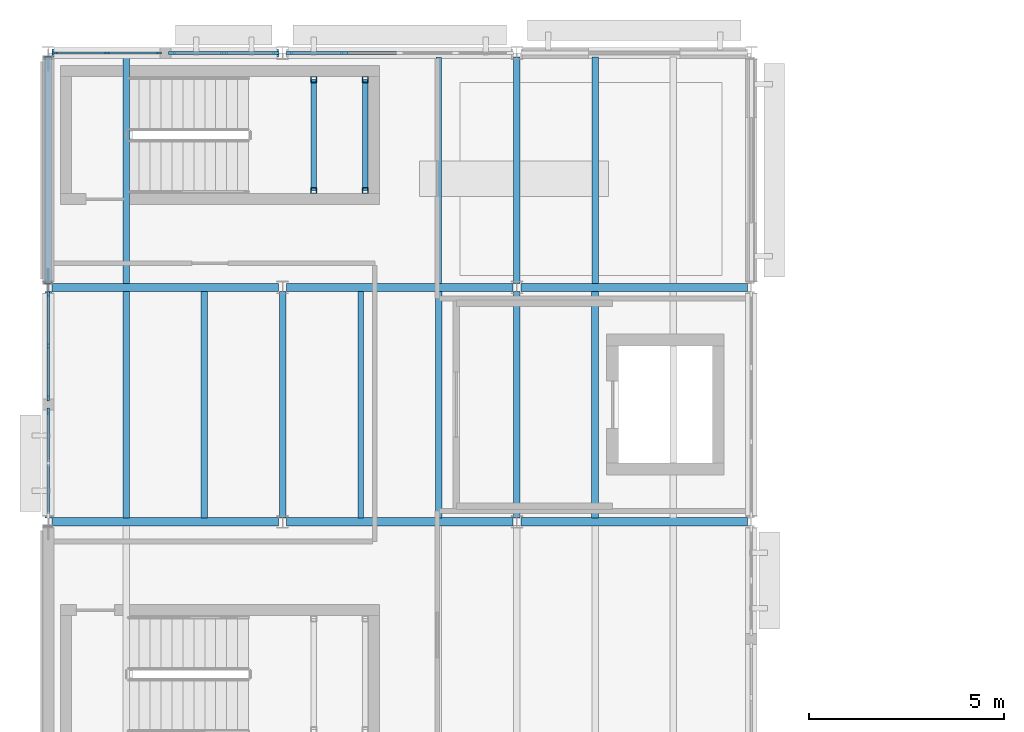
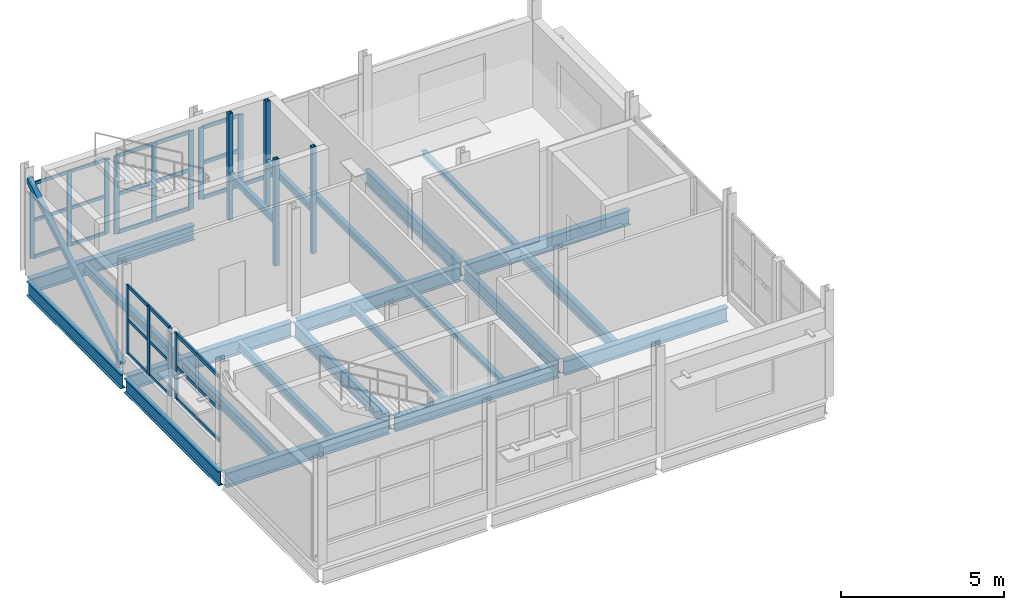
# One storey, part 12 of 45: 45 members, 22 beams, 5 elements without a shape of their own.
"""IFC4 building model written with IfcOpenShell, lengths in metres."""

from ifc_helpers import new_model, si_unit, direction, frame, origin, origin_2d, place, context, subcontext, project, spatial, rectangle, hollow_rectangle, i_section, extrude, material, material_profile, profile_set, type_object, element, aggregate, save


model = new_model("IFC4")

# Units and contexts
model_context = context("Model", 3, precision=1e-05, world=origin(), true_north=direction((0.0, 1.0)))
body_context = subcontext(model_context, "Body", "Model", "MODEL_VIEW")
ifc_project = project(units=[si_unit("LENGTHUNIT", "METRE"), si_unit("AREAUNIT", "SQUARE_METRE"), si_unit("VOLUMEUNIT", "CUBIC_METRE"), si_unit("PLANEANGLEUNIT", "RADIAN"), si_unit("MASSUNIT", "GRAM", prefix="KILO")], contexts=[model_context])

# Site, building, storey
site_placement = place(None, origin())
site = spatial("IfcSite", under=ifc_project, at=site_placement, CompositionType="ELEMENT")
building_placement = place(site_placement, origin())
building = spatial("IfcBuilding", under=site, at=building_placement, Name="Siltcreek Boulevard Central Fire Station", CompositionType="ELEMENT")
storey_placement = place(building_placement, frame((0.0, 0.0, 10.0)))
storey = spatial("IfcBuildingStorey", under=building, at=storey_placement, Name="L03", CompositionType="ELEMENT", Elevation=10.0)

# Beams
ifc_material_1 = material(Name="Structural steel ASTM A992 Gr50", Category="steel")
ifc_material_profile_1 = material_profile(ifc_material_1, i_section(OverallWidth=0.2109375, OverallDepth=0.5390625, WebThickness=0.01171875, FlangeThickness=0.018798828125, at=origin_2d()), Name="W530X109")
ifc_profile_set_1 = profile_set([ifc_material_profile_1], Name="Structural steel ASTM A992 Gr50")
beam_type_1 = type_object("IfcBeamType", Name="BM_W530X109", PredefinedType="BEAM", material=ifc_profile_set_1)
for number, where, z_axis, x_axis, name in (
    (1, (42.10009765625, 100.199951171875, -0.549560546875), (1.0, 0.0, 0.0), (0.0, 1.0, 0.0), "L03 primary steel girder GX-0381"),
    (2, (48.10009765625, 100.199951171875, -0.549560546875), (1.0, 0.0, 0.0), (0.0, 1.0, 0.0), "L03 primary steel girder GX-0382"),
    (3, (54.10009765625, 100.199951171875, -0.549560546875), (1.0, 0.0, 0.0), (0.0, 1.0, 0.0), "L03 primary steel girder GX-0383"),
    (4, (42.10009765625, 106.199951171875, -0.549560546875), (1.0, 0.0, 0.0), (0.0, 1.0, 0.0), "L03 primary steel girder GX-0384"),
    (5, (48.10009765625, 106.199951171875, -0.549560546875), (1.0, 0.0, 0.0), (0.0, 1.0, 0.0), "L03 primary steel girder GX-0385"),
    (6, (54.10009765625, 106.199951171875, -0.549560546875), (1.0, 0.0, 0.0), (0.0, 1.0, 0.0), "L03 primary steel girder GX-0386"),
    (7, (42.10009765625, 112.199951171875, -0.549560546875), (1.0, 0.0, 0.0), (0.0, 1.0, 0.0), "L03 primary steel girder GX-0387"),
):
    element("IfcBeam", number, at=place(storey_placement, frame(where, z_axis=z_axis, x_axis=x_axis)), inside=storey, type_object=beam_type_1, Name=name, PredefinedType="BEAM", context=body_context, shape_type="SweptSolid", body=[
        extrude(i_section(OverallWidth=0.2109375, OverallDepth=0.5390625, WebThickness=0.01171875, FlangeThickness=0.018798828125, at=origin_2d()), origin(), (0.0, 0.0, 1.0), 5.7998046875),
    ])
ifc_material_profile_2 = material_profile(ifc_material_1, i_section(OverallWidth=0.166015625, OverallDepth=0.534912109375, WebThickness=0.01025390625, FlangeThickness=0.0166015625, at=origin_2d()), Name="W530X85")
ifc_profile_set_2 = profile_set([ifc_material_profile_2], Name="Structural steel ASTM A992 Gr50")
beam_type_2 = type_object("IfcBeamType", Name="BM_W530X85", PredefinedType="BEAM", material=ifc_profile_set_2)
for number, where, z_axis, x_axis, name in (
    (8, (42.0, 100.300048828125, -0.547607421875), (0.0, 1.0, 0.0), (-1.0, 0.0, 0.0), "L03 primary steel girder GY-0391"),
    (9, (42.0, 106.300048828125, -0.547607421875), (0.0, 1.0, 0.0), (-1.0, 0.0, 0.0), "L03 primary steel girder GY-0392"),
    (10, (48.0, 100.300048828125, -0.547607421875), (0.0, 1.0, 0.0), (-1.0, 0.0, 0.0), "L03 primary steel girder GY-0393"),
    (11, (54.0, 100.300048828125, -0.547607421875), (0.0, 1.0, 0.0), (-1.0, 0.0, 0.0), "L03 primary steel girder GY-0395"),
    (12, (54.0, 106.300048828125, -0.547607421875), (0.0, 1.0, 0.0), (-1.0, 0.0, 0.0), "L03 primary steel girder GY-0396"),
):
    element("IfcBeam", number, at=place(storey_placement, frame(where, z_axis=z_axis, x_axis=x_axis)), inside=storey, type_object=beam_type_2, Name=name, PredefinedType="BEAM", context=body_context, shape_type="SweptSolid", body=[
        extrude(i_section(OverallWidth=0.166015625, OverallDepth=0.534912109375, WebThickness=0.01025390625, FlangeThickness=0.0166015625, at=origin_2d()), origin(), (0.0, 0.0, 1.0), 5.800048828125),
    ])

# Members
ifc_material_2 = material(Name="Structural steel ASTM A500 GrC", Category="steel")
ifc_material_profile_3 = material_profile(ifc_material_2, hollow_rectangle(XDim=0.14990234375, YDim=0.14990234375, WallThickness=0.008056640625, at=origin_2d()), Name="HSS150X150X8.0")
ifc_profile_set_3 = profile_set([ifc_material_profile_3], Name="Structural steel ASTM A500 GrC")
member_type_1 = type_object("IfcMemberType", Name="BR_HSS150_8", PredefinedType="BRACE", material=ifc_profile_set_3)
for number, where, z_axis, x_axis, name in (
    (13, (48.800048828125, 108.679931640625, 0.0), (0.0, 0.0, 1.0), (1.0, 0.0, 0.0), "L03 ST-V3B stair landing corner post SW"),
    (14, (48.800048828125, 111.52001953125, 0.0), (0.0, 0.0, 1.0), (1.0, 0.0, 0.0), "L03 ST-V3B stair landing corner post NW"),
    (15, (50.1201171875, 108.679931640625, 0.0), (0.0, 0.0, 1.0), (1.0, 0.0, 0.0), "L03 ST-V3B stair landing corner post SE"),
    (16, (50.1201171875, 111.52001953125, 0.0), (0.0, 0.0, 1.0), (1.0, 0.0, 0.0), "L03 ST-V3B stair landing corner post NE"),
):
    element("IfcMember", number, at=place(storey_placement, frame(where, z_axis=z_axis, x_axis=x_axis)), inside=storey, type_object=member_type_1, Name=name, PredefinedType="BRACE", context=body_context, shape_type="SweptSolid", body=[
        extrude(hollow_rectangle(XDim=0.14990234375, YDim=0.14990234375, WallThickness=0.008056640625, at=origin_2d()), origin(), (0.0, 0.0, 1.0), 4.0),
    ])
ifc_material_profile_4 = material_profile(ifc_material_2, hollow_rectangle(XDim=0.179931640625, YDim=0.179931640625, WallThickness=0.008056640625, at=origin_2d()), Name="HSS180X180X8.0")
ifc_profile_set_4 = profile_set([ifc_material_profile_4], Name="Structural steel ASTM A500 GrC")
member_type_2 = type_object("IfcMemberType", Name="BR_HSS180", PredefinedType="BRACE", material=ifc_profile_set_4)
member_1_placement = place(storey_placement, frame((42.0, 106.320068359375, 0.10009765625), z_axis=(0.0, 0.857890513261, 0.513832528415), x_axis=(-1.0, 0.0, 0.0)))
element("IfcMember", 17, at=member_1_placement, inside=storey, type_object=member_type_2, Name="L03 SCBF concentrically braced frame BR-021", PredefinedType="BRACE", context=body_context, shape_type="SweptSolid", body=[
    extrude(hollow_rectangle(XDim=0.179931640625, YDim=0.179931640625, WallThickness=0.008056640625, at=origin_2d()), origin(), (0.0, 0.0, 1.0), 6.714111328125),
])

# Curtain wall, members
ifc_material_3 = material(Name="Anodized aluminum and low-E insulated glazing", Category="aluminium")
curtain_wall_type_1 = type_object("IfcCurtainWallType", Name="CW_SYS_20", PredefinedType="USERDEFINED", material=ifc_material_3)
curtain_wall_1_placement = place(storey_placement, origin())
curtain_wall_1 = element("IfcCurtainWall", 18, at=curtain_wall_1_placement, inside=storey, type_object=curtain_wall_type_1, Name="L03 V3 unitised curtain wall CW-049", ObjectType="CURTAIN WALL", PredefinedType="USERDEFINED")
ifc_material_4 = material(Name="Anodized 6063-T6 aluminum framing", Category="aluminium")
ifc_material_profile_5 = material_profile(ifc_material_4, rectangle(XDim=0.06005859375, YDim=0.14990234375, at=origin_2d()), Name="MULL60X150")
ifc_profile_set_5 = profile_set([ifc_material_profile_5], Name="Anodized 6063-T6 aluminum framing")
member_type_3 = type_object("IfcMemberType", Name="CWM_60X150", PredefinedType="MULLION", material=ifc_profile_set_5)
member_2_placement = place(storey_placement, frame((44.830078125, 112.199951171875, 0.43994140625), z_axis=(0.0, 0.0, 1.0), x_axis=(0.0, -1.0, 0.0)))
member_2 = element("IfcMember", 19, at=member_2_placement, type_object=member_type_3, Name="CW-049 mullion 1", PredefinedType="MULLION", context=body_context, shape_type="SweptSolid", body=[
    extrude(rectangle(XDim=0.06005859375, YDim=0.14990234375, at=origin_2d()), origin(), (0.0, 0.0, 1.0), 2.80908203125),
])
member_3_placement = place(storey_placement, frame((43.50244140625, 112.199951171875, 0.43994140625), z_axis=(0.0, 0.0, 1.0), x_axis=(0.0, -1.0, 0.0)))
member_3 = element("IfcMember", 20, at=member_3_placement, type_object=member_type_3, Name="CW-049 mullion 2", PredefinedType="MULLION", context=body_context, shape_type="SweptSolid", body=[
    extrude(rectangle(XDim=0.06005859375, YDim=0.14990234375, at=origin_2d()), origin(), (0.0, 0.0, 1.0), 2.80908203125),
])
member_4_placement = place(storey_placement, frame((42.175048828125, 112.199951171875, 0.43994140625), z_axis=(0.0, 0.0, 1.0), x_axis=(0.0, -1.0, 0.0)))
member_4 = element("IfcMember", 21, at=member_4_placement, type_object=member_type_3, Name="CW-049 mullion 3", PredefinedType="MULLION", context=body_context, shape_type="SweptSolid", body=[
    extrude(rectangle(XDim=0.06005859375, YDim=0.14990234375, at=origin_2d()), origin(), (0.0, 0.0, 1.0), 2.80908203125),
])

curtain_wall_type_2 = type_object("IfcCurtainWallType", Name="CW_SYS_22", PredefinedType="USERDEFINED", material=ifc_material_3)
curtain_wall_2_placement = place(storey_placement, origin())
curtain_wall_2 = element("IfcCurtainWall", 22, at=curtain_wall_2_placement, inside=storey, type_object=curtain_wall_type_2, Name="L03 V3 unitised curtain wall CW-051", ObjectType="CURTAIN WALL", PredefinedType="USERDEFINED")
member_5_placement = place(storey_placement, frame((42.0, 106.02490234375, 0.679931640625), z_axis=(0.0, 0.0, 1.0), x_axis=(1.0, 0.0, 0.0)))
member_5 = element("IfcMember", 23, at=member_5_placement, type_object=member_type_3, Name="CW-051 mullion 1", PredefinedType="MULLION", context=body_context, shape_type="SweptSolid", body=[
    extrude(rectangle(XDim=0.06005859375, YDim=0.14990234375, at=origin_2d()), origin(), (0.0, 0.0, 1.0), 2.572998046875),
])
member_6_placement = place(storey_placement, frame((42.0, 104.697509765625, 0.679931640625), z_axis=(0.0, 0.0, 1.0), x_axis=(1.0, 0.0, 0.0)))
member_6 = element("IfcMember", 24, at=member_6_placement, type_object=member_type_3, Name="CW-051 mullion 2", PredefinedType="MULLION", context=body_context, shape_type="SweptSolid", body=[
    extrude(rectangle(XDim=0.06005859375, YDim=0.14990234375, at=origin_2d()), origin(), (0.0, 0.0, 1.0), 2.572998046875),
])
member_7_placement = place(storey_placement, frame((42.0, 103.3701171875, 0.679931640625), z_axis=(0.0, 0.0, 1.0), x_axis=(1.0, 0.0, 0.0)))
member_7 = element("IfcMember", 25, at=member_7_placement, type_object=member_type_3, Name="CW-051 mullion 3", PredefinedType="MULLION", context=body_context, shape_type="SweptSolid", body=[
    extrude(rectangle(XDim=0.06005859375, YDim=0.14990234375, at=origin_2d()), origin(), (0.0, 0.0, 1.0), 2.572998046875),
])

curtain_wall_type_3 = type_object("IfcCurtainWallType", Name="CW_SYS_19", PredefinedType="USERDEFINED", material=ifc_material_3)
curtain_wall_3_placement = place(storey_placement, origin())
curtain_wall_3 = element("IfcCurtainWall", 26, at=curtain_wall_3_placement, inside=storey, type_object=curtain_wall_type_3, Name="L03 V3 unitised curtain wall CW-048", ObjectType="CURTAIN WALL", PredefinedType="USERDEFINED")
ifc_material_profile_6 = material_profile(ifc_material_4, rectangle(XDim=0.06494140625, YDim=0.175048828125, at=origin_2d()), Name="MULL65X175")
ifc_profile_set_6 = profile_set([ifc_material_profile_6], Name="Anodized 6063-T6 aluminum framing")
member_type_4 = type_object("IfcMemberType", Name="CWM_65X175", PredefinedType="MULLION", material=ifc_profile_set_6)
member_8_placement = place(storey_placement, frame((47.822509765625, 112.199951171875, 0.320068359375), z_axis=(0.0, 0.0, 1.0), x_axis=(0.0, -1.0, 0.0)))
member_8 = element("IfcMember", 27, at=member_8_placement, type_object=member_type_4, Name="CW-048 mullion 1", PredefinedType="MULLION", context=body_context, shape_type="SweptSolid", body=[
    extrude(rectangle(XDim=0.06494140625, YDim=0.175048828125, at=origin_2d()), origin(), (0.0, 0.0, 1.0), 2.928955078125),
])
member_9_placement = place(storey_placement, frame((46.49755859375, 112.199951171875, 0.320068359375), z_axis=(0.0, 0.0, 1.0), x_axis=(0.0, -1.0, 0.0)))
member_9 = element("IfcMember", 28, at=member_9_placement, type_object=member_type_4, Name="CW-048 mullion 2", PredefinedType="MULLION", context=body_context, shape_type="SweptSolid", body=[
    extrude(rectangle(XDim=0.06494140625, YDim=0.175048828125, at=origin_2d()), origin(), (0.0, 0.0, 1.0), 2.928955078125),
])
member_10_placement = place(storey_placement, frame((45.172607421875, 112.199951171875, 0.320068359375), z_axis=(0.0, 0.0, 1.0), x_axis=(0.0, -1.0, 0.0)))
member_10 = element("IfcMember", 29, at=member_10_placement, type_object=member_type_4, Name="CW-048 mullion 3", PredefinedType="MULLION", context=body_context, shape_type="SweptSolid", body=[
    extrude(rectangle(XDim=0.06494140625, YDim=0.175048828125, at=origin_2d()), origin(), (0.0, 0.0, 1.0), 2.928955078125),
])

curtain_wall_type_4 = type_object("IfcCurtainWallType", Name="CW_SYS_21", PredefinedType="USERDEFINED", material=ifc_material_3)
curtain_wall_4_placement = place(storey_placement, origin())
curtain_wall_4 = element("IfcCurtainWall", 30, at=curtain_wall_4_placement, inside=storey, type_object=curtain_wall_type_4, Name="L03 V3 unitised curtain wall CW-050", ObjectType="CURTAIN WALL", PredefinedType="USERDEFINED")
member_11_placement = place(storey_placement, frame((49.572509765625, 112.199951171875, 0.56005859375), z_axis=(0.0, 0.0, 1.0), x_axis=(0.0, -1.0, 0.0)))
member_11 = element("IfcMember", 31, at=member_11_placement, type_object=member_type_4, Name="CW-050 mullion 4", PredefinedType="MULLION", context=body_context, shape_type="SweptSolid", body=[
    extrude(rectangle(XDim=0.06494140625, YDim=0.175048828125, at=origin_2d()), origin(), (0.0, 0.0, 1.0), 2.68896484375),
])
member_12_placement = place(storey_placement, frame((48.177490234375, 112.199951171875, 0.56005859375), z_axis=(0.0, 0.0, 1.0), x_axis=(0.0, -1.0, 0.0)))
member_12 = element("IfcMember", 32, at=member_12_placement, type_object=member_type_4, Name="CW-050 mullion 5", PredefinedType="MULLION", context=body_context, shape_type="SweptSolid", body=[
    extrude(rectangle(XDim=0.06494140625, YDim=0.175048828125, at=origin_2d()), origin(), (0.0, 0.0, 1.0), 2.68896484375),
])

# Curtain wall, member
curtain_wall_type_5 = type_object("IfcCurtainWallType", Name="CW_SYS_23", PredefinedType="USERDEFINED", material=ifc_material_3)
curtain_wall_5_placement = place(storey_placement, origin())
curtain_wall_5 = element("IfcCurtainWall", 33, at=curtain_wall_5_placement, inside=storey, type_object=curtain_wall_type_5, Name="L03 V3 unitised curtain wall CW-052", ObjectType="CURTAIN WALL", PredefinedType="USERDEFINED")
member_13_placement = place(storey_placement, frame((42.0, 103.027587890625, 0.800048828125), z_axis=(0.0, 0.0, 1.0), x_axis=(1.0, 0.0, 0.0)))
member_13 = element("IfcMember", 34, at=member_13_placement, type_object=member_type_4, Name="CW-052 mullion 1", PredefinedType="MULLION", context=body_context, shape_type="SweptSolid", body=[
    extrude(rectangle(XDim=0.06494140625, YDim=0.175048828125, at=origin_2d()), origin(), (0.0, 0.0, 1.0), 2.452880859375),
])

# Member
ifc_material_profile_7 = material_profile(ifc_material_4, rectangle(XDim=0.06005859375, YDim=0.114990234375, at=origin_2d()), Name="TRAN60X115")
ifc_profile_set_7 = profile_set([ifc_material_profile_7], Name="Anodized 6063-T6 aluminum framing")
member_type_5 = type_object("IfcMemberType", Name="CWT_60X115", PredefinedType="USERDEFINED", material=ifc_profile_set_7)
member_14_placement = place(storey_placement, frame((44.800048828125, 112.199951171875, 0.469970703125), z_axis=(-1.0, 0.0, 0.0), x_axis=(0.0, -1.0, 0.0)))
member_14 = element("IfcMember", 35, at=member_14_placement, type_object=member_type_5, Name="CW-049 transom 1.1", ObjectType="TRANSOM", PredefinedType="USERDEFINED", context=body_context, shape_type="SweptSolid", body=[
    extrude(rectangle(XDim=0.06005859375, YDim=0.114990234375, at=origin_2d()), origin(), (0.0, 0.0, 1.0), 1.267578125),
])

member_15_placement = place(storey_placement, frame((44.800048828125, 112.199951171875, 1.844482421875), z_axis=(-1.0, 0.0, 0.0), x_axis=(0.0, -1.0, 0.0)))
member_15 = element("IfcMember", 36, at=member_15_placement, type_object=member_type_5, Name="CW-049 transom 1.2", ObjectType="TRANSOM", PredefinedType="USERDEFINED", context=body_context, shape_type="SweptSolid", body=[
    extrude(rectangle(XDim=0.06005859375, YDim=0.114990234375, at=origin_2d()), origin(), (0.0, 0.0, 1.0), 1.267578125),
])

member_16_placement = place(storey_placement, frame((44.800048828125, 112.199951171875, 3.218994140625), z_axis=(-1.0, 0.0, 0.0), x_axis=(0.0, -1.0, 0.0)))
member_16 = element("IfcMember", 37, at=member_16_placement, type_object=member_type_5, Name="CW-049 transom 1.3", ObjectType="TRANSOM", PredefinedType="USERDEFINED", context=body_context, shape_type="SweptSolid", body=[
    extrude(rectangle(XDim=0.06005859375, YDim=0.114990234375, at=origin_2d()), origin(), (0.0, 0.0, 1.0), 1.267578125),
])

member_17_placement = place(storey_placement, frame((43.472412109375, 112.199951171875, 0.469970703125), z_axis=(-1.0, 0.0, 0.0), x_axis=(0.0, -1.0, 0.0)))
member_17 = element("IfcMember", 38, at=member_17_placement, type_object=member_type_5, Name="CW-049 transom 2.1", ObjectType="TRANSOM", PredefinedType="USERDEFINED", context=body_context, shape_type="SweptSolid", body=[
    extrude(rectangle(XDim=0.06005859375, YDim=0.114990234375, at=origin_2d()), origin(), (0.0, 0.0, 1.0), 1.267333984375),
])

member_18_placement = place(storey_placement, frame((43.472412109375, 112.199951171875, 1.844482421875), z_axis=(-1.0, 0.0, 0.0), x_axis=(0.0, -1.0, 0.0)))
member_18 = element("IfcMember", 39, at=member_18_placement, type_object=member_type_5, Name="CW-049 transom 2.2", ObjectType="TRANSOM", PredefinedType="USERDEFINED", context=body_context, shape_type="SweptSolid", body=[
    extrude(rectangle(XDim=0.06005859375, YDim=0.114990234375, at=origin_2d()), origin(), (0.0, 0.0, 1.0), 1.267333984375),
])

member_19_placement = place(storey_placement, frame((43.472412109375, 112.199951171875, 3.218994140625), z_axis=(-1.0, 0.0, 0.0), x_axis=(0.0, -1.0, 0.0)))
member_19 = element("IfcMember", 40, at=member_19_placement, type_object=member_type_5, Name="CW-049 transom 2.3", ObjectType="TRANSOM", PredefinedType="USERDEFINED", context=body_context, shape_type="SweptSolid", body=[
    extrude(rectangle(XDim=0.06005859375, YDim=0.114990234375, at=origin_2d()), origin(), (0.0, 0.0, 1.0), 1.267333984375),
])

aggregate(curtain_wall_1, [member_2, member_3, member_4, member_14, member_15, member_16, member_17, member_18, member_19])

member_20_placement = place(storey_placement, frame((42.0, 105.9951171875, 0.7099609375), z_axis=(0.0, -1.0, 0.0), x_axis=(1.0, 0.0, 0.0)))
member_20 = element("IfcMember", 41, at=member_20_placement, type_object=member_type_5, Name="CW-051 transom 1.1", ObjectType="TRANSOM", PredefinedType="USERDEFINED", context=body_context, shape_type="SweptSolid", body=[
    extrude(rectangle(XDim=0.06005859375, YDim=0.114990234375, at=origin_2d()), origin(), (0.0, 0.0, 1.0), 1.267578125),
])

member_21_placement = place(storey_placement, frame((42.0, 105.9951171875, 1.966552734375), z_axis=(0.0, -1.0, 0.0), x_axis=(1.0, 0.0, 0.0)))
member_21 = element("IfcMember", 42, at=member_21_placement, type_object=member_type_5, Name="CW-051 transom 1.2", ObjectType="TRANSOM", PredefinedType="USERDEFINED", context=body_context, shape_type="SweptSolid", body=[
    extrude(rectangle(XDim=0.06005859375, YDim=0.114990234375, at=origin_2d()), origin(), (0.0, 0.0, 1.0), 1.267578125),
])

member_22_placement = place(storey_placement, frame((42.0, 105.9951171875, 3.222900390625), z_axis=(0.0, -1.0, 0.0), x_axis=(1.0, 0.0, 0.0)))
member_22 = element("IfcMember", 43, at=member_22_placement, type_object=member_type_5, Name="CW-051 transom 1.3", ObjectType="TRANSOM", PredefinedType="USERDEFINED", context=body_context, shape_type="SweptSolid", body=[
    extrude(rectangle(XDim=0.06005859375, YDim=0.114990234375, at=origin_2d()), origin(), (0.0, 0.0, 1.0), 1.267578125),
])

member_23_placement = place(storey_placement, frame((42.0, 104.66748046875, 0.7099609375), z_axis=(0.0, -1.0, 0.0), x_axis=(1.0, 0.0, 0.0)))
member_23 = element("IfcMember", 44, at=member_23_placement, type_object=member_type_5, Name="CW-051 transom 2.1", ObjectType="TRANSOM", PredefinedType="USERDEFINED", context=body_context, shape_type="SweptSolid", body=[
    extrude(rectangle(XDim=0.06005859375, YDim=0.114990234375, at=origin_2d()), origin(), (0.0, 0.0, 1.0), 1.267578125),
])

member_24_placement = place(storey_placement, frame((42.0, 104.66748046875, 1.966552734375), z_axis=(0.0, -1.0, 0.0), x_axis=(1.0, 0.0, 0.0)))
member_24 = element("IfcMember", 45, at=member_24_placement, type_object=member_type_5, Name="CW-051 transom 2.2", ObjectType="TRANSOM", PredefinedType="USERDEFINED", context=body_context, shape_type="SweptSolid", body=[
    extrude(rectangle(XDim=0.06005859375, YDim=0.114990234375, at=origin_2d()), origin(), (0.0, 0.0, 1.0), 1.267578125),
])

member_25_placement = place(storey_placement, frame((42.0, 104.66748046875, 3.222900390625), z_axis=(0.0, -1.0, 0.0), x_axis=(1.0, 0.0, 0.0)))
member_25 = element("IfcMember", 46, at=member_25_placement, type_object=member_type_5, Name="CW-051 transom 2.3", ObjectType="TRANSOM", PredefinedType="USERDEFINED", context=body_context, shape_type="SweptSolid", body=[
    extrude(rectangle(XDim=0.06005859375, YDim=0.114990234375, at=origin_2d()), origin(), (0.0, 0.0, 1.0), 1.267578125),
])

aggregate(curtain_wall_2, [member_5, member_6, member_7, member_20, member_21, member_22, member_23, member_24, member_25])

ifc_material_profile_8 = material_profile(ifc_material_4, rectangle(XDim=0.06494140625, YDim=0.135009765625, at=origin_2d()), Name="TRAN65X135")
ifc_profile_set_8 = profile_set([ifc_material_profile_8], Name="Anodized 6063-T6 aluminum framing")
member_type_6 = type_object("IfcMemberType", Name="CWT_65X135", PredefinedType="USERDEFINED", material=ifc_profile_set_8)
member_26_placement = place(storey_placement, frame((47.7900390625, 112.199951171875, 0.3525390625), z_axis=(-1.0, 0.0, 0.0), x_axis=(0.0, -1.0, 0.0)))
member_26 = element("IfcMember", 47, at=member_26_placement, type_object=member_type_6, Name="CW-048 transom 1.1", ObjectType="TRANSOM", PredefinedType="USERDEFINED", context=body_context, shape_type="SweptSolid", body=[
    extrude(rectangle(XDim=0.06494140625, YDim=0.135009765625, at=origin_2d()), origin(), (0.0, 0.0, 1.0), 1.260009765625),
])

member_27_placement = place(storey_placement, frame((47.7900390625, 112.199951171875, 1.784423828125), z_axis=(-1.0, 0.0, 0.0), x_axis=(0.0, -1.0, 0.0)))
member_27 = element("IfcMember", 48, at=member_27_placement, type_object=member_type_6, Name="CW-048 transom 1.2", ObjectType="TRANSOM", PredefinedType="USERDEFINED", context=body_context, shape_type="SweptSolid", body=[
    extrude(rectangle(XDim=0.06494140625, YDim=0.135009765625, at=origin_2d()), origin(), (0.0, 0.0, 1.0), 1.260009765625),
])

member_28_placement = place(storey_placement, frame((47.7900390625, 112.199951171875, 3.216552734375), z_axis=(-1.0, 0.0, 0.0), x_axis=(0.0, -1.0, 0.0)))
member_28 = element("IfcMember", 49, at=member_28_placement, type_object=member_type_6, Name="CW-048 transom 1.3", ObjectType="TRANSOM", PredefinedType="USERDEFINED", context=body_context, shape_type="SweptSolid", body=[
    extrude(rectangle(XDim=0.06494140625, YDim=0.135009765625, at=origin_2d()), origin(), (0.0, 0.0, 1.0), 1.260009765625),
])

member_29_placement = place(storey_placement, frame((46.465087890625, 112.199951171875, 0.3525390625), z_axis=(-1.0, 0.0, 0.0), x_axis=(0.0, -1.0, 0.0)))
member_29 = element("IfcMember", 50, at=member_29_placement, type_object=member_type_6, Name="CW-048 transom 2.1", ObjectType="TRANSOM", PredefinedType="USERDEFINED", context=body_context, shape_type="SweptSolid", body=[
    extrude(rectangle(XDim=0.06494140625, YDim=0.135009765625, at=origin_2d()), origin(), (0.0, 0.0, 1.0), 1.260009765625),
])

member_30_placement = place(storey_placement, frame((46.465087890625, 112.199951171875, 1.784423828125), z_axis=(-1.0, 0.0, 0.0), x_axis=(0.0, -1.0, 0.0)))
member_30 = element("IfcMember", 51, at=member_30_placement, type_object=member_type_6, Name="CW-048 transom 2.2", ObjectType="TRANSOM", PredefinedType="USERDEFINED", context=body_context, shape_type="SweptSolid", body=[
    extrude(rectangle(XDim=0.06494140625, YDim=0.135009765625, at=origin_2d()), origin(), (0.0, 0.0, 1.0), 1.260009765625),
])

member_31_placement = place(storey_placement, frame((46.465087890625, 112.199951171875, 3.216552734375), z_axis=(-1.0, 0.0, 0.0), x_axis=(0.0, -1.0, 0.0)))
member_31 = element("IfcMember", 52, at=member_31_placement, type_object=member_type_6, Name="CW-048 transom 2.3", ObjectType="TRANSOM", PredefinedType="USERDEFINED", context=body_context, shape_type="SweptSolid", body=[
    extrude(rectangle(XDim=0.06494140625, YDim=0.135009765625, at=origin_2d()), origin(), (0.0, 0.0, 1.0), 1.260009765625),
])

aggregate(curtain_wall_3, [member_8, member_9, member_10, member_26, member_27, member_28, member_29, member_30, member_31])

member_32_placement = place(storey_placement, frame((50.967529296875, 112.199951171875, 0.592529296875), z_axis=(-1.0, 0.0, 0.0), x_axis=(0.0, -1.0, 0.0)))
member_32 = element("IfcMember", 53, at=member_32_placement, type_object=member_type_6, Name="CW-050 transom 3.1", ObjectType="TRANSOM", PredefinedType="USERDEFINED", context=body_context, shape_type="SweptSolid", body=[
    extrude(rectangle(XDim=0.06494140625, YDim=0.135009765625, at=origin_2d()), origin(), (0.0, 0.0, 1.0), 1.362548828125),
])

member_33_placement = place(storey_placement, frame((49.5400390625, 112.199951171875, 0.592529296875), z_axis=(-1.0, 0.0, 0.0), x_axis=(0.0, -1.0, 0.0)))
member_33 = element("IfcMember", 54, at=member_33_placement, type_object=member_type_6, Name="CW-050 transom 4.1", ObjectType="TRANSOM", PredefinedType="USERDEFINED", context=body_context, shape_type="SweptSolid", body=[
    extrude(rectangle(XDim=0.06494140625, YDim=0.135009765625, at=origin_2d()), origin(), (0.0, 0.0, 1.0), 1.330078125),
])

member_34_placement = place(storey_placement, frame((49.5400390625, 112.199951171875, 1.904541015625), z_axis=(-1.0, 0.0, 0.0), x_axis=(0.0, -1.0, 0.0)))
member_34 = element("IfcMember", 55, at=member_34_placement, type_object=member_type_6, Name="CW-050 transom 4.2", ObjectType="TRANSOM", PredefinedType="USERDEFINED", context=body_context, shape_type="SweptSolid", body=[
    extrude(rectangle(XDim=0.06494140625, YDim=0.135009765625, at=origin_2d()), origin(), (0.0, 0.0, 1.0), 1.330078125),
])

member_35_placement = place(storey_placement, frame((49.5400390625, 112.199951171875, 3.216552734375), z_axis=(-1.0, 0.0, 0.0), x_axis=(0.0, -1.0, 0.0)))
member_35 = element("IfcMember", 56, at=member_35_placement, type_object=member_type_6, Name="CW-050 transom 4.3", ObjectType="TRANSOM", PredefinedType="USERDEFINED", context=body_context, shape_type="SweptSolid", body=[
    extrude(rectangle(XDim=0.06494140625, YDim=0.135009765625, at=origin_2d()), origin(), (0.0, 0.0, 1.0), 1.330078125),
])

aggregate(curtain_wall_4, [member_11, member_12, member_32, member_33, member_34, member_35])

member_36_placement = place(storey_placement, frame((42.0, 102.9951171875, 0.83251953125), z_axis=(0.0, -1.0, 0.0), x_axis=(1.0, 0.0, 0.0)))
member_36 = element("IfcMember", 57, at=member_36_placement, type_object=member_type_6, Name="CW-052 transom 1.1", ObjectType="TRANSOM", PredefinedType="USERDEFINED", context=body_context, shape_type="SweptSolid", body=[
    extrude(rectangle(XDim=0.06494140625, YDim=0.135009765625, at=origin_2d()), origin(), (0.0, 0.0, 1.0), 1.260009765625),
])

member_37_placement = place(storey_placement, frame((42.0, 102.9951171875, 2.026611328125), z_axis=(0.0, -1.0, 0.0), x_axis=(1.0, 0.0, 0.0)))
member_37 = element("IfcMember", 58, at=member_37_placement, type_object=member_type_6, Name="CW-052 transom 1.2", ObjectType="TRANSOM", PredefinedType="USERDEFINED", context=body_context, shape_type="SweptSolid", body=[
    extrude(rectangle(XDim=0.06494140625, YDim=0.135009765625, at=origin_2d()), origin(), (0.0, 0.0, 1.0), 1.260009765625),
])

member_38_placement = place(storey_placement, frame((42.0, 102.9951171875, 3.220458984375), z_axis=(0.0, -1.0, 0.0), x_axis=(1.0, 0.0, 0.0)))
member_38 = element("IfcMember", 59, at=member_38_placement, type_object=member_type_6, Name="CW-052 transom 1.3", ObjectType="TRANSOM", PredefinedType="USERDEFINED", context=body_context, shape_type="SweptSolid", body=[
    extrude(rectangle(XDim=0.06494140625, YDim=0.135009765625, at=origin_2d()), origin(), (0.0, 0.0, 1.0), 1.260009765625),
])

member_39_placement = place(storey_placement, frame((42.0, 101.669921875, 0.83251953125), z_axis=(0.0, -1.0, 0.0), x_axis=(1.0, 0.0, 0.0)))
member_39 = element("IfcMember", 60, at=member_39_placement, type_object=member_type_6, Name="CW-052 transom 2.1", ObjectType="TRANSOM", PredefinedType="USERDEFINED", context=body_context, shape_type="SweptSolid", body=[
    extrude(rectangle(XDim=0.06494140625, YDim=0.135009765625, at=origin_2d()), origin(), (0.0, 0.0, 1.0), 1.260009765625),
])

member_40_placement = place(storey_placement, frame((42.0, 101.669921875, 2.026611328125), z_axis=(0.0, -1.0, 0.0), x_axis=(1.0, 0.0, 0.0)))
member_40 = element("IfcMember", 61, at=member_40_placement, type_object=member_type_6, Name="CW-052 transom 2.2", ObjectType="TRANSOM", PredefinedType="USERDEFINED", context=body_context, shape_type="SweptSolid", body=[
    extrude(rectangle(XDim=0.06494140625, YDim=0.135009765625, at=origin_2d()), origin(), (0.0, 0.0, 1.0), 1.260009765625),
])

member_41_placement = place(storey_placement, frame((42.0, 101.669921875, 3.220458984375), z_axis=(0.0, -1.0, 0.0), x_axis=(1.0, 0.0, 0.0)))
member_41 = element("IfcMember", 62, at=member_41_placement, type_object=member_type_6, Name="CW-052 transom 2.3", ObjectType="TRANSOM", PredefinedType="USERDEFINED", context=body_context, shape_type="SweptSolid", body=[
    extrude(rectangle(XDim=0.06494140625, YDim=0.135009765625, at=origin_2d()), origin(), (0.0, 0.0, 1.0), 1.260009765625),
])

aggregate(curtain_wall_5, [member_13, member_36, member_37, member_38, member_39, member_40, member_41])

# Beams
ifc_material_profile_9 = material_profile(ifc_material_1, i_section(OverallWidth=0.1650390625, OverallDepth=0.200927734375, WebThickness=0.006103515625, FlangeThickness=0.01025390625, at=origin_2d()), Name="W200X36")
ifc_profile_set_9 = profile_set([ifc_material_profile_9], Name="Structural steel ASTM A992 Gr50")
beam_type_3 = type_object("IfcBeamType", Name="JST_W200X36", PredefinedType="JOIST", material=ifc_profile_set_9)
for number, where, z_axis, x_axis, name in (
    (63, (52.0, 100.303466796875, -0.380615234375), (0.0, 1.0, 0.0), (-1.0, 0.0, 0.0), "L03 secondary steel floor joist 0346"),
    (64, (56.0, 106.303466796875, -0.380615234375), (0.0, 1.0, 0.0), (-1.0, 0.0, 0.0), "L03 secondary steel floor joist 0351"),
):
    element("IfcBeam", number, at=place(storey_placement, frame(where, z_axis=z_axis, x_axis=x_axis)), inside=storey, type_object=beam_type_3, Name=name, PredefinedType="JOIST", context=body_context, shape_type="SweptSolid", body=[
        extrude(i_section(OverallWidth=0.1650390625, OverallDepth=0.200927734375, WebThickness=0.006103515625, FlangeThickness=0.01025390625, at=origin_2d()), origin(), (0.0, 0.0, 1.0), 5.79296875),
    ])
ifc_material_profile_10 = material_profile(ifc_material_1, i_section(OverallWidth=0.14697265625, OverallDepth=0.261962890625, WebThickness=0.006591796875, FlangeThickness=0.01123046875, at=origin_2d()), Name="W250X39")
ifc_profile_set_10 = profile_set([ifc_material_profile_10], Name="Structural steel ASTM A992 Gr50")
beam_type_4 = type_object("IfcBeamType", Name="JST_W250X39", PredefinedType="JOIST", material=ifc_profile_set_10)
for number, where, z_axis, x_axis, name in (
    (65, (50.0, 100.303466796875, -0.410888671875), (0.0, 1.0, 0.0), (-1.0, 0.0, 0.0), "L03 secondary steel floor joist 0345"),
    (66, (52.0, 106.303466796875, -0.410888671875), (0.0, 1.0, 0.0), (-1.0, 0.0, 0.0), "L03 secondary steel floor joist 0350"),
):
    element("IfcBeam", number, at=place(storey_placement, frame(where, z_axis=z_axis, x_axis=x_axis)), inside=storey, type_object=beam_type_4, Name=name, PredefinedType="JOIST", context=body_context, shape_type="SweptSolid", body=[
        extrude(i_section(OverallWidth=0.14697265625, OverallDepth=0.261962890625, WebThickness=0.006591796875, FlangeThickness=0.01123046875, at=origin_2d()), origin(), (0.0, 0.0, 1.0), 5.79296875),
    ])
for number, where, z_axis, x_axis, name in (
    (67, (48.800048828125, 108.679931640625, 1.6689453125), (0.0, 1.0, 0.0), (-1.0, 0.0, 0.0), "L03 ST-V3B stair landing bearer MIDW"),
    (68, (50.1201171875, 108.679931640625, 1.6689453125), (0.0, 1.0, 0.0), (-1.0, 0.0, 0.0), "L03 ST-V3B stair landing bearer MIDE"),
):
    element("IfcBeam", number, at=place(storey_placement, frame(where, z_axis=z_axis, x_axis=x_axis)), inside=storey, type_object=beam_type_4, Name=name, PredefinedType="JOIST", context=body_context, shape_type="SweptSolid", body=[
        extrude(i_section(OverallWidth=0.14697265625, OverallDepth=0.261962890625, WebThickness=0.006591796875, FlangeThickness=0.01123046875, at=origin_2d()), origin(), (0.0, 0.0, 1.0), 2.840087890625),
    ])
ifc_material_profile_11 = material_profile(ifc_material_1, i_section(OverallWidth=0.166015625, OverallDepth=0.31298828125, WebThickness=0.006591796875, FlangeThickness=0.01123046875, at=origin_2d()), Name="W310X45")
ifc_profile_set_11 = profile_set([ifc_material_profile_11], Name="Structural steel ASTM A992 Gr50")
beam_type_5 = type_object("IfcBeamType", Name="JST_W310X45", PredefinedType="JOIST", material=ifc_profile_set_11)
for number, where, z_axis, x_axis, name in (
    (69, (46.0, 100.303466796875, -0.4365234375), (0.0, 1.0, 0.0), (-1.0, 0.0, 0.0), "L03 secondary steel floor joist 0344"),
    (70, (44.0, 106.303466796875, -0.4365234375), (0.0, 1.0, 0.0), (-1.0, 0.0, 0.0), "L03 secondary steel floor joist 0349"),
):
    element("IfcBeam", number, at=place(storey_placement, frame(where, z_axis=z_axis, x_axis=x_axis)), inside=storey, type_object=beam_type_5, Name=name, PredefinedType="JOIST", context=body_context, shape_type="SweptSolid", body=[
        extrude(i_section(OverallWidth=0.166015625, OverallDepth=0.31298828125, WebThickness=0.006591796875, FlangeThickness=0.01123046875, at=origin_2d()), origin(), (0.0, 0.0, 1.0), 5.79296875),
    ])
ifc_material_profile_12 = material_profile(ifc_material_1, i_section(OverallWidth=0.172119140625, OverallDepth=0.35791015625, WebThickness=0.0078125, FlangeThickness=0.01318359375, at=origin_2d()), Name="W360X57")
ifc_profile_set_12 = profile_set([ifc_material_profile_12], Name="Structural steel ASTM A992 Gr50")
beam_type_6 = type_object("IfcBeamType", Name="JST_W360X57", PredefinedType="JOIST", material=ifc_profile_set_12)
beam_1_placement = place(storey_placement, frame((44.0, 100.303466796875, -0.458984375), z_axis=(0.0, 1.0, 0.0), x_axis=(-1.0, 0.0, 0.0)))
element("IfcBeam", 71, at=beam_1_placement, inside=storey, type_object=beam_type_6, Name="L03 secondary steel floor joist 0343", PredefinedType="JOIST", context=body_context, shape_type="SweptSolid", body=[
    extrude(i_section(OverallWidth=0.172119140625, OverallDepth=0.35791015625, WebThickness=0.0078125, FlangeThickness=0.01318359375, at=origin_2d()), origin(), (0.0, 0.0, 1.0), 5.79296875),
])
ifc_material_profile_13 = material_profile(ifc_material_1, i_section(OverallWidth=0.177001953125, OverallDepth=0.403076171875, WebThickness=0.007568359375, FlangeThickness=0.010986328125, at=origin_2d()), Name="W410X53")
ifc_profile_set_13 = profile_set([ifc_material_profile_13], Name="Structural steel ASTM A992 Gr50")
beam_type_7 = type_object("IfcBeamType", Name="JST_W410X53", PredefinedType="JOIST", material=ifc_profile_set_13)
beam_2_placement = place(storey_placement, frame((56.0, 100.303466796875, -0.4814453125), z_axis=(0.0, 1.0, 0.0), x_axis=(-1.0, 0.0, 0.0)))
element("IfcBeam", 72, at=beam_2_placement, inside=storey, type_object=beam_type_7, Name="L03 secondary steel floor joist 0347", PredefinedType="JOIST", context=body_context, shape_type="SweptSolid", body=[
    extrude(i_section(OverallWidth=0.177001953125, OverallDepth=0.403076171875, WebThickness=0.007568359375, FlangeThickness=0.010986328125, at=origin_2d()), origin(), (0.0, 0.0, 1.0), 5.79296875),
])

save(model, "model.ifc")
